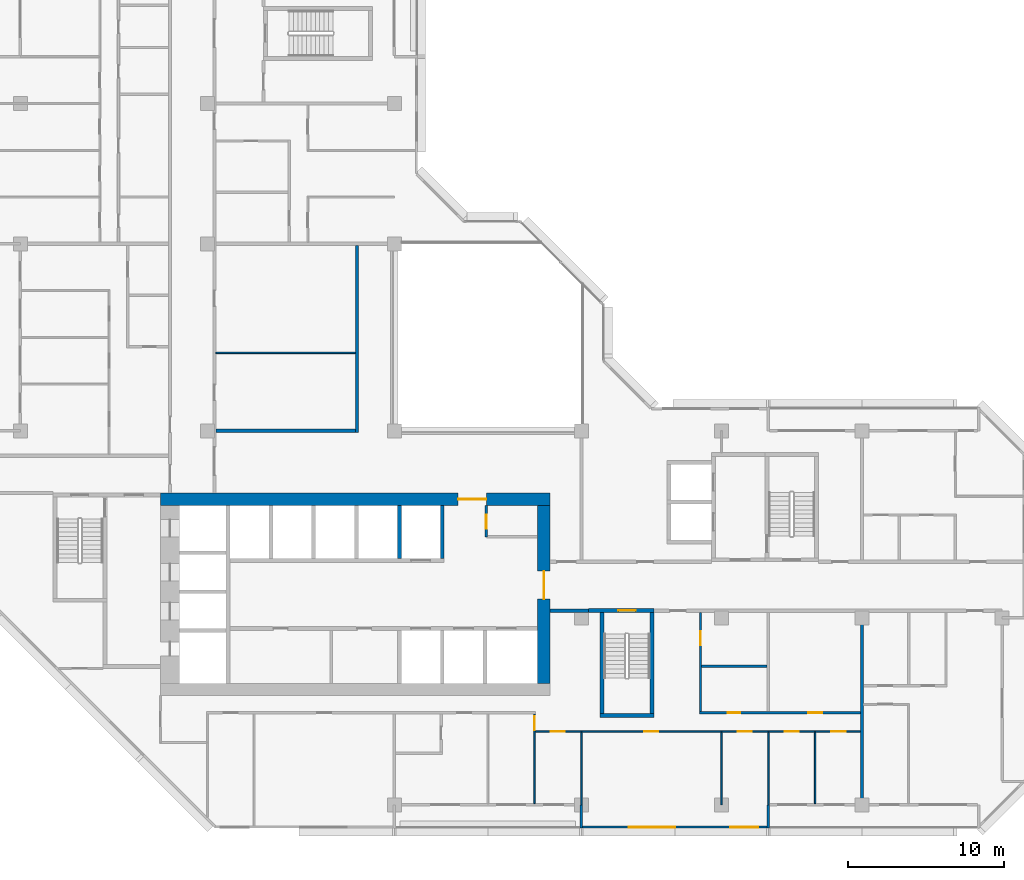
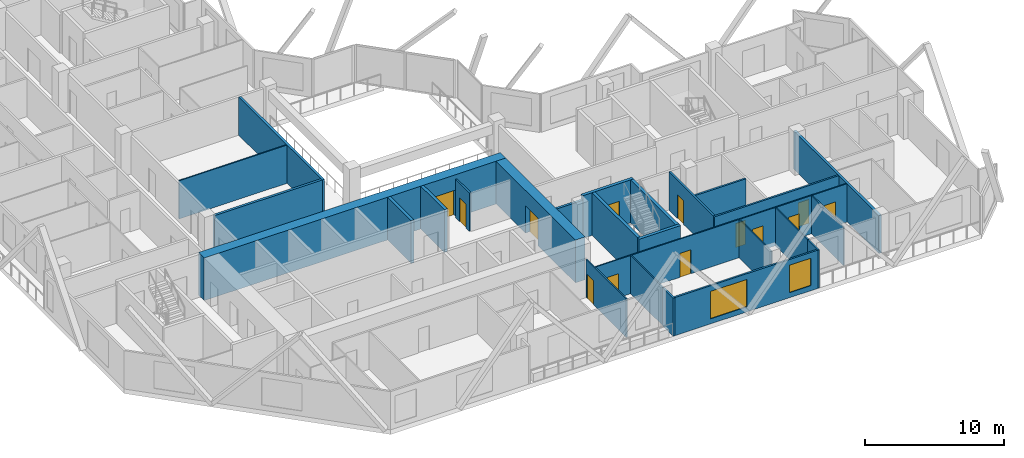
# One storey, part 6 of 14: 26 walls, 13 doors, 2 windows, 15 openings.
"""IFC4 building model written with IfcOpenShell, lengths in metres."""

from ifc_helpers import new_model, si_unit, direction, frame, frame_2d, origin, place, context, subcontext, project, spatial, rectangle, extrude, material, layer, layer_set, type_object, element, fill, save


model = new_model("IFC4")

# Units and contexts
model_context = context("Model", 3, precision=1e-05, world=origin(), true_north=direction((0.0, 1.0)))
body_context = subcontext(model_context, "Body", "Model", "MODEL_VIEW")
ifc_project = project(units=[si_unit("LENGTHUNIT", "METRE"), si_unit("AREAUNIT", "SQUARE_METRE"), si_unit("VOLUMEUNIT", "CUBIC_METRE"), si_unit("PLANEANGLEUNIT", "RADIAN"), si_unit("MASSUNIT", "GRAM", prefix="KILO")], contexts=[model_context])

# Site, building, storey
site_placement = place(None, origin())
site = spatial("IfcSite", under=ifc_project, at=site_placement, CompositionType="ELEMENT")
building_placement = place(site_placement, origin())
building = spatial("IfcBuilding", under=site, at=building_placement, Name="Chenar Terraces", CompositionType="ELEMENT")
storey_placement = place(building_placement, frame((0.0, 0.0, 157.39990234375)))
storey = spatial("IfcBuildingStorey", under=building, at=storey_placement, Name="L35", CompositionType="ELEMENT", Elevation=157.39990234375)

# Wall, opening, door
ifc_material_1 = material(Name="Gypsum board on steel studs", Category="steel")
ifc_layer_1 = layer(ifc_material_1, 0.14990234375)
ifc_layer_set_1 = layer_set([ifc_layer_1], Name="Gypsum board on steel studs")
wall_type_1 = type_object("IfcWallType", Name="Core partition 150 gypsum board", PredefinedType="PARTITIONING", material=ifc_layer_set_1)
wall_1_placement = place(storey_placement, frame((29.89990234375, 17.199951171875, 0.0), z_axis=(0.0, 0.0, 1.0), x_axis=(0.0, 1.0, 0.0)))
wall_1 = element("IfcWall", 1, at=wall_1_placement, inside=storey, type_object=wall_type_1, Name="Core partition CP1 vestibule room west wall", PredefinedType="PARTITIONING", context=body_context, shape_type="SweptSolid", body=[
    extrude(rectangle(XDim=2.0, YDim=0.14990234375, at=frame_2d((1.0, 0.0))), origin(), (0.0, 0.0, 1.0), 3.35009765625),
])
opening_1_placement = place(wall_1_placement, frame((0.5, 0.0, 0.0)))
opening_1 = element("IfcOpeningElement", 2, at=opening_1_placement, cuts=wall_1, Name="Opening DL35-C14", PredefinedType="OPENING", context=body_context, shape_type="SweptSolid", body=[
    extrude(rectangle(XDim=0.89990234375, YDim=2.10009765625, at=frame_2d((0.449951171875, 1.050048828125))), frame((0.0, 0.0849609375, 0.0), z_axis=(0.0, -1.0, 0.0), x_axis=(1.0, 0.0, 0.0)), (0.0, 0.0, 1.0), 0.169921875),
])
ifc_material_2 = material(Name="Steel-framed fire-resisting door leaf", Category="steel")
door_type_1 = type_object("IfcDoorType", Name="Riser fire door FD60 900 x 2100", OperationType="SINGLE_SWING_LEFT", PredefinedType="DOOR", material=ifc_material_2)
door_1_placement = place(opening_1_placement, frame((0.89990234375, 0.0, 0.0), z_axis=(0.0, 0.0, 1.0), x_axis=(-1.0, 0.0, 0.0)))
door_1 = element("IfcDoor", 3, at=door_1_placement, inside=storey, type_object=door_type_1, Name="Core room door DL35-C14", OperationType="SINGLE_SWING_RIGHT", OverallHeight=2.10009765625, OverallWidth=0.89990234375, PredefinedType="DOOR", context=body_context, shape_type="SweptSolid", body=[
    extrude(rectangle(XDim=0.89990234375, YDim=2.10009765625, at=frame_2d((0.449951171875, 1.050048828125))), frame((0.0, 0.02490234375, 0.0), z_axis=(0.0, -1.0, 0.0), x_axis=(1.0, 0.0, 0.0)), (0.0, 0.0, 1.0), 0.050048828125),
])
fill(opening_1, door_1)

# Walls
ifc_material_3 = material(Name="Concrete C60/75", Category="concrete")
ifc_layer_2 = layer(ifc_material_3, 0.25)
ifc_layer_set_2 = layer_set([ifc_layer_2], Name="Concrete C60/75")
wall_type_2 = type_object("IfcWallType", Name="Core wall 250 Concrete C60/75", PredefinedType="SHEAR", material=ifc_layer_set_2)
for number, where, z_axis, x_axis, name in (
    (4, (24.324951171875, 15.800048828125, 0.0), (0.0, 0.0, 1.0), (0.0, 1.0, 0.0), "Core wall NS3 L35"),
    (5, (27.074951171875, 15.800048828125, 0.0), (0.0, 0.0, 1.0), (0.0, 1.0, 0.0), "Core wall NE L35"),
):
    element("IfcWall", number, at=place(storey_placement, frame(where, z_axis=z_axis, x_axis=x_axis)), inside=storey, type_object=wall_type_2, Name=name, PredefinedType="SHEAR", context=body_context, shape_type="SweptSolid", body=[
        extrude(rectangle(XDim=3.39990234375, YDim=0.25, at=frame_2d((1.699951171875, 0.0))), origin(), (0.0, 0.0, 1.0), 3.75),
    ])
wall_2_placement = place(storey_placement, frame((37.199951171875, 5.72509765625, 0.0), z_axis=(0.0, 0.0, 1.0), x_axis=(1.0, 0.0, 0.0)))
element("IfcWall", 6, at=wall_2_placement, inside=storey, type_object=wall_type_2, Name="Core wall ST2_S L35", PredefinedType="SHEAR", context=body_context, shape_type="SweptSolid", body=[
    extrude(rectangle(XDim=3.449951171875, YDim=0.25, at=frame_2d((1.72509765625, 0.0))), origin(), (0.0, 0.0, 1.0), 3.75),
])

# Wall, opening, door
wall_3_placement = place(storey_placement, frame((36.449951171875, 12.47509765625, 0.0), z_axis=(0.0, 0.0, 1.0), x_axis=(1.0, 0.0, 0.0)))
wall_3 = element("IfcWall", 7, at=wall_3_placement, inside=storey, type_object=wall_type_2, Name="Core wall ST2_N L35", PredefinedType="SHEAR", context=body_context, shape_type="SweptSolid", body=[
    extrude(rectangle(XDim=4.199951171875, YDim=0.25, at=frame_2d((2.10009765625, 0.0))), origin(), (0.0, 0.0, 1.0), 3.75),
])
opening_2_placement = place(wall_3_placement, frame((1.925048828125, 0.0, 0.0)))
opening_2 = element("IfcOpeningElement", 8, at=opening_2_placement, cuts=wall_3, Name="Opening DL35-C7", PredefinedType="OPENING", context=body_context, shape_type="SweptSolid", body=[
    extrude(rectangle(XDim=1.10009765625, YDim=2.199951171875, at=frame_2d((0.550048828125, 1.10009765625))), frame((0.0, 0.135009765625, 0.0), z_axis=(0.0, -1.0, 0.0), x_axis=(1.0, 0.0, 0.0)), (0.0, 0.0, 1.0), 0.27001953125),
])
ifc_material_4 = material(Name="Steel-framed fire-resisting door leaf", Category="steel")
door_type_2 = type_object("IfcDoorType", Name="Stair fire door FD60 1100 x 2200", OperationType="SINGLE_SWING_LEFT", PredefinedType="DOOR", material=ifc_material_4)
door_2_placement = place(opening_2_placement, frame((1.10009765625, 0.0, 0.0), z_axis=(0.0, 0.0, 1.0), x_axis=(-1.0, 0.0, 0.0)))
door_2 = element("IfcDoor", 9, at=door_2_placement, inside=storey, type_object=door_type_2, Name="Stair door DL35-C7", OperationType="SINGLE_SWING_RIGHT", OverallHeight=2.199951171875, OverallWidth=1.10009765625, PredefinedType="DOOR", context=body_context, shape_type="SweptSolid", body=[
    extrude(rectangle(XDim=1.10009765625, YDim=2.199951171875, at=frame_2d((0.550048828125, 1.10009765625))), frame((0.0, 0.02490234375, 0.0), z_axis=(0.0, -1.0, 0.0), x_axis=(1.0, 0.0, 0.0)), (0.0, 0.0, 1.0), 0.050048828125),
])
fill(opening_2, door_2)

# Walls
for number, where, z_axis, x_axis, name in (
    (10, (37.324951171875, 5.85009765625, 0.0), (0.0, 0.0, 1.0), (0.0, 1.0, 0.0), "Core wall ST2_W L35"),
    (11, (40.52490234375, 5.85009765625, 0.0), (0.0, 0.0, 1.0), (0.0, 1.0, 0.0), "Core wall ST2_E L35"),
):
    element("IfcWall", number, at=place(storey_placement, frame(where, z_axis=z_axis, x_axis=x_axis)), inside=storey, type_object=wall_type_2, Name=name, PredefinedType="SHEAR", context=body_context, shape_type="SweptSolid", body=[
        extrude(rectangle(XDim=6.5, YDim=0.25, at=frame_2d((3.25, 0.0))), origin(), (0.0, 0.0, 1.0), 3.75),
    ])

# Wall, opening, door
ifc_material_5 = material(Name="Concrete C60/75", Category="concrete")
ifc_layer_3 = layer(ifc_material_5, 0.800048828125)
ifc_layer_set_3 = layer_set([ifc_layer_3], Name="Concrete C60/75")
wall_type_3 = type_object("IfcWallType", Name="Core wall 800 Concrete C60/75", PredefinedType="SHEAR", material=ifc_layer_set_3)
wall_4_placement = place(storey_placement, frame((9.0, 19.60009765625, 0.0), z_axis=(0.0, 0.0, 1.0), x_axis=(1.0, 0.0, 0.0)))
wall_4 = element("IfcWall", 12, at=wall_4_placement, inside=storey, type_object=wall_type_3, Name="Core wall N L35", PredefinedType="SHEAR", context=body_context, shape_type="SweptSolid", body=[
    extrude(rectangle(XDim=25.0, YDim=0.800048828125, at=frame_2d((12.5, 0.0))), origin(), (0.0, 0.0, 1.0), 3.75),
])
opening_3_placement = place(wall_4_placement, frame((19.10009765625, 0.0, 0.0)))
opening_3 = element("IfcOpeningElement", 13, at=opening_3_placement, cuts=wall_4, Name="Opening DL35-C2", PredefinedType="OPENING", context=body_context, shape_type="SweptSolid", body=[
    extrude(rectangle(XDim=1.800048828125, YDim=2.39990234375, at=frame_2d((0.89990234375, 1.199951171875))), frame((0.0, 0.409912109375, 0.0), z_axis=(0.0, -1.0, 0.0), x_axis=(1.0, 0.0, 0.0)), (0.0, 0.0, 1.0), 0.820068359375),
])
ifc_material_6 = material(Name="Steel-framed fire-resisting door leaf", Category="steel")
door_type_3 = type_object("IfcDoorType", Name="Core entrance double fire door FD60 1800 x 2400", OperationType="DOUBLE_DOOR_SINGLE_SWING", PredefinedType="DOOR", material=ifc_material_6)
door_3_placement = place(opening_3_placement, origin())
door_3 = element("IfcDoor", 14, at=door_3_placement, inside=storey, type_object=door_type_3, Name="Core door DL35-C2", OperationType="DOUBLE_DOOR_SINGLE_SWING", OverallHeight=2.39990234375, OverallWidth=1.800048828125, PredefinedType="DOOR", context=body_context, shape_type="SweptSolid", body=[
    extrude(rectangle(XDim=1.800048828125, YDim=2.39990234375, at=frame_2d((0.89990234375, 1.199951171875))), frame((0.0, 0.02490234375, 0.0), z_axis=(0.0, -1.0, 0.0), x_axis=(1.0, 0.0, 0.0)), (0.0, 0.0, 1.0), 0.050048828125),
])
fill(opening_3, door_3)

wall_5_placement = place(storey_placement, frame((33.60009765625, 7.800048828125, 0.0), z_axis=(0.0, 0.0, 1.0), x_axis=(0.0, 1.0, 0.0)))
wall_5 = element("IfcWall", 15, at=wall_5_placement, inside=storey, type_object=wall_type_3, Name="Core wall E L35", PredefinedType="SHEAR", context=body_context, shape_type="SweptSolid", body=[
    extrude(rectangle(XDim=11.39990234375, YDim=0.800048828125, at=frame_2d((5.699951171875, 0.0))), origin(), (0.0, 0.0, 1.0), 3.75),
])
opening_4_placement = place(wall_5_placement, frame((5.39990234375, 0.0, 0.0)))
opening_4 = element("IfcOpeningElement", 16, at=opening_4_placement, cuts=wall_5, Name="Opening DL35-C1", PredefinedType="OPENING", context=body_context, shape_type="SweptSolid", body=[
    extrude(rectangle(XDim=1.800048828125, YDim=2.39990234375, at=frame_2d((0.89990234375, 1.199951171875))), frame((0.0, 0.409912109375, 0.0), z_axis=(0.0, -1.0, 0.0), x_axis=(1.0, 0.0, 0.0)), (0.0, 0.0, 1.0), 0.820068359375),
])
door_4_placement = place(opening_4_placement, origin())
door_4 = element("IfcDoor", 17, at=door_4_placement, inside=storey, type_object=door_type_3, Name="Core door DL35-C1", OperationType="DOUBLE_DOOR_SINGLE_SWING", OverallHeight=2.39990234375, OverallWidth=1.800048828125, PredefinedType="DOOR", context=body_context, shape_type="SweptSolid", body=[
    extrude(rectangle(XDim=1.800048828125, YDim=2.39990234375, at=frame_2d((0.89990234375, 1.199951171875))), frame((0.0, 0.02490234375, 0.0), z_axis=(0.0, -1.0, 0.0), x_axis=(1.0, 0.0, 0.0)), (0.0, 0.0, 1.0), 0.050048828125),
])
fill(opening_4, door_4)

# Walls
ifc_material_7 = material(Name="Gypsum board on steel studs with fire boards", Category="steel")
ifc_layer_4 = layer(ifc_material_7, 0.199951171875)
ifc_layer_set_4 = layer_set([ifc_layer_4], Name="Gypsum board on steel studs with fire boards")
wall_type_4 = type_object("IfcWallType", Name="Corridor wall 200", PredefinedType="PARTITIONING", material=ifc_layer_set_4)
wall_6_placement = place(storey_placement, frame((12.550048828125, 24.0, 0.0), z_axis=(0.0, 0.0, 1.0), x_axis=(1.0, 0.0, 0.0)))
element("IfcWall", 18, at=wall_6_placement, inside=storey, type_object=wall_type_4, Name="Partition L35-032", PredefinedType="PARTITIONING", context=body_context, shape_type="SweptSolid", body=[
    extrude(rectangle(XDim=8.949951171875, YDim=0.199951171875, at=frame_2d((4.47509765625, 0.0))), origin(), (0.0, 0.0, 1.0), 3.35009765625),
])
wall_7_placement = place(storey_placement, frame((21.60009765625, 23.89990234375, 0.0), z_axis=(0.0, 0.0, 1.0), x_axis=(0.0, 1.0, 0.0)))
element("IfcWall", 19, at=wall_7_placement, inside=storey, type_object=wall_type_4, Name="Partition L35-052", PredefinedType="PARTITIONING", context=body_context, shape_type="SweptSolid", body=[
    extrude(rectangle(XDim=12.0, YDim=0.199951171875, at=frame_2d((6.0, 0.0))), origin(), (0.0, 0.0, 1.0), 3.35009765625),
])
wall_8_placement = place(storey_placement, frame((34.0, 12.449951171875, 0.0), z_axis=(0.0, 0.0, 1.0), x_axis=(1.0, 0.0, 0.0)))
element("IfcWall", 20, at=wall_8_placement, inside=storey, type_object=wall_type_4, Name="Partition L35-059", PredefinedType="PARTITIONING", context=body_context, shape_type="SweptSolid", body=[
    extrude(rectangle(XDim=2.450927734375, YDim=0.199951171875, at=frame_2d((1.2255859375, 0.0))), origin(), (0.0, 0.0, 1.0), 3.35009765625),
])

# Wall, openings, windows
ifc_material_8 = material(Name="Aluminium framed glazing", Category="aluminium")
ifc_layer_5 = layer(ifc_material_8, 0.14990234375)
ifc_layer_set_5 = layer_set([ifc_layer_5], Name="Aluminium framed glazing")
wall_type_5 = type_object("IfcWallType", Name="Glazed flush facade wall 150", PredefinedType="SOLIDWALL", material=ifc_layer_set_5)
wall_9_placement = place(storey_placement, frame((36.074951171875, -1.425048828125, 0.0), z_axis=(0.0, 0.0, 1.0), x_axis=(1.0, 0.0, 0.0)))
wall_9 = element("IfcWall", 21, at=wall_9_placement, inside=storey, type_object=wall_type_5, Name="Glazed flush facade wall", PredefinedType="SOLIDWALL", context=body_context, shape_type="SweptSolid", body=[
    extrude(rectangle(XDim=11.85009765625, YDim=0.14990234375, at=frame_2d((5.925048828125, 0.0))), origin(), (0.0, 0.0, 1.0), 3.35009765625),
])
opening_5_placement = place(wall_9_placement, frame((2.96240234375, 0.0, 0.449951171875)))
opening_5 = element("IfcOpeningElement", 22, at=opening_5_placement, cuts=wall_9, Name="Opening W300x240", PredefinedType="OPENING", context=body_context, shape_type="SweptSolid", body=[
    extrude(rectangle(XDim=3.0, YDim=2.39990234375, at=frame_2d((1.5, 1.199951171875))), frame((0.0, 0.0849609375, 0.0), z_axis=(0.0, -1.0, 0.0), x_axis=(1.0, 0.0, 0.0)), (0.0, 0.0, 1.0), 0.169921875),
])
opening_6_placement = place(wall_9_placement, frame((9.487548828125, 0.0, 0.449951171875)))
opening_6 = element("IfcOpeningElement", 23, at=opening_6_placement, cuts=wall_9, Name="Opening W180x240", PredefinedType="OPENING", context=body_context, shape_type="SweptSolid", body=[
    extrude(rectangle(XDim=1.800048828125, YDim=2.39990234375, at=frame_2d((0.89990234375, 1.199951171875))), frame((0.0, 0.0849609375, 0.0), z_axis=(0.0, -1.0, 0.0), x_axis=(1.0, 0.0, 0.0)), (0.0, 0.0, 1.0), 0.169921875),
])
ifc_material_9 = material(Name="Low emissivity double glazing, aluminium frame", Category="aluminium")
window_type_1 = type_object("IfcWindowType", Name="Fixed light 1800 x 2400", PartitioningType="SINGLE_PANEL", PredefinedType="WINDOW", material=ifc_material_9)
window_1_placement = place(opening_6_placement, origin())
window_1 = element("IfcWindow", 24, at=window_1_placement, inside=storey, type_object=window_type_1, Name="Window", OverallHeight=2.39990234375, OverallWidth=1.800048828125, PartitioningType="SINGLE_PANEL", PredefinedType="WINDOW", context=body_context, shape_type="SweptSolid", body=[
    extrude(rectangle(XDim=1.800048828125, YDim=2.39990234375, at=frame_2d((0.89990234375, 1.199951171875))), frame((0.0, 0.030029296875, 0.0), z_axis=(0.0, -1.0, 0.0), x_axis=(1.0, 0.0, 0.0)), (0.0, 0.0, 1.0), 0.06005859375),
])
fill(opening_6, window_1)
ifc_material_10 = material(Name="Low emissivity double glazing, aluminium frame", Category="aluminium")
window_type_2 = type_object("IfcWindowType", Name="Fixed light 3000 x 2400", PartitioningType="SINGLE_PANEL", PredefinedType="WINDOW", material=ifc_material_10)
window_2_placement = place(opening_5_placement, origin())
window_2 = element("IfcWindow", 25, at=window_2_placement, inside=storey, type_object=window_type_2, Name="Window", OverallHeight=2.39990234375, OverallWidth=3.0, PartitioningType="SINGLE_PANEL", PredefinedType="WINDOW", context=body_context, shape_type="SweptSolid", body=[
    extrude(rectangle(XDim=3.0, YDim=2.39990234375, at=frame_2d((1.5, 1.199951171875))), frame((0.0, 0.030029296875, 0.0), z_axis=(0.0, -1.0, 0.0), x_axis=(1.0, 0.0, 0.0)), (0.0, 0.0, 1.0), 0.06005859375),
])
fill(opening_5, window_2)

# Wall
ifc_material_11 = material(Name="Gypsum board on steel studs", Category="steel")
ifc_layer_6 = layer(ifc_material_11, 0.10009765625)
ifc_layer_set_6 = layer_set([ifc_layer_6], Name="Gypsum board on steel studs")
wall_type_6 = type_object("IfcWallType", Name="Gypsum partition 100", PredefinedType="PARTITIONING", material=ifc_layer_set_6)
wall_10_placement = place(storey_placement, frame((12.550048828125, 29.0, 0.0), z_axis=(0.0, 0.0, 1.0), x_axis=(1.0, 0.0, 0.0)))
element("IfcWall", 26, at=wall_10_placement, inside=storey, type_object=wall_type_6, Name="Partition L35-033", PredefinedType="PARTITIONING", context=body_context, shape_type="SweptSolid", body=[
    extrude(rectangle(XDim=8.949951171875, YDim=0.10009765625, at=frame_2d((4.47509765625, 0.0))), origin(), (0.0, 0.0, 1.0), 3.35009765625),
])

# Wall, opening, door
wall_11_placement = place(storey_placement, frame((33.0, 0.073974609375, 0.0), z_axis=(0.0, 0.0, 1.0), x_axis=(0.0, 1.0, 0.0)))
wall_11 = element("IfcWall", 27, at=wall_11_placement, inside=storey, type_object=wall_type_6, Name="Partition L35-057", PredefinedType="PARTITIONING", context=body_context, shape_type="SweptSolid", body=[
    extrude(rectangle(XDim=5.7509765625, YDim=0.10009765625, at=frame_2d((2.87548828125, 0.0))), origin(), (0.0, 0.0, 1.0), 3.35009765625),
])
opening_7_placement = place(wall_11_placement, frame((4.700927734375, 0.0, 0.0)))
opening_7 = element("IfcOpeningElement", 28, at=opening_7_placement, cuts=wall_11, Name="Opening DL35-43", PredefinedType="OPENING", context=body_context, shape_type="SweptSolid", body=[
    extrude(rectangle(XDim=0.89990234375, YDim=2.10009765625, at=frame_2d((0.449951171875, 1.050048828125))), frame((0.0, 0.06005859375, 0.0), z_axis=(0.0, -1.0, 0.0), x_axis=(1.0, 0.0, 0.0)), (0.0, 0.0, 1.0), 0.1201171875),
])
ifc_material_12 = material(Name="Veneered timber door leaf", Category="wood")
door_type_4 = type_object("IfcDoorType", Name="Door 900 x 2100", OperationType="SINGLE_SWING_LEFT", PredefinedType="DOOR", material=ifc_material_12)
door_5_placement = place(opening_7_placement, origin())
door_5 = element("IfcDoor", 29, at=door_5_placement, inside=storey, type_object=door_type_4, Name="Door DL35-43", OperationType="SINGLE_SWING_RIGHT", OverallHeight=2.10009765625, OverallWidth=0.89990234375, PredefinedType="DOOR", context=body_context, shape_type="SweptSolid", body=[
    extrude(rectangle(XDim=0.89990234375, YDim=2.10009765625, at=frame_2d((0.449951171875, 1.050048828125))), frame((0.0, 0.02490234375, 0.0), z_axis=(0.0, -1.0, 0.0), x_axis=(1.0, 0.0, 0.0)), (0.0, 0.0, 1.0), 0.050048828125),
])
fill(opening_7, door_5)

# Wall, openings, doors
wall_12_placement = place(storey_placement, frame((33.050048828125, 4.699951171875, 0.0), z_axis=(0.0, 0.0, 1.0), x_axis=(1.0, 0.0, 0.0)))
wall_12 = element("IfcWall", 30, at=wall_12_placement, inside=storey, type_object=wall_type_6, Name="Partition L35-058", PredefinedType="PARTITIONING", context=body_context, shape_type="SweptSolid", body=[
    extrude(rectangle(XDim=20.849853515625, YDim=0.10009765625, at=frame_2d((10.4248046875, 0.0))), origin(), (0.0, 0.0, 1.0), 3.35009765625),
])
opening_8_placement = place(wall_12_placement, frame((1.0, 0.0, 0.0)))
opening_8 = element("IfcOpeningElement", 31, at=opening_8_placement, cuts=wall_12, Name="Opening DL35-44", PredefinedType="OPENING", context=body_context, shape_type="SweptSolid", body=[
    extrude(rectangle(XDim=0.89990234375, YDim=2.10009765625, at=frame_2d((0.449951171875, 1.050048828125))), frame((0.0, 0.06005859375, 0.0), z_axis=(0.0, -1.0, 0.0), x_axis=(1.0, 0.0, 0.0)), (0.0, 0.0, 1.0), 0.1201171875),
])
opening_9_placement = place(wall_12_placement, frame((13.0, 0.0, 0.0)))
opening_9 = element("IfcOpeningElement", 32, at=opening_9_placement, cuts=wall_12, Name="Opening DL35-45", PredefinedType="OPENING", context=body_context, shape_type="SweptSolid", body=[
    extrude(rectangle(XDim=0.89990234375, YDim=2.10009765625, at=frame_2d((0.449951171875, 1.050048828125))), frame((0.0, 0.06005859375, 0.0), z_axis=(0.0, -1.0, 0.0), x_axis=(1.0, 0.0, 0.0)), (0.0, 0.0, 1.0), 0.1201171875),
])
opening_10_placement = place(wall_12_placement, frame((16.0, 0.0, 0.0)))
opening_10 = element("IfcOpeningElement", 33, at=opening_10_placement, cuts=wall_12, Name="Opening DL35-46", PredefinedType="OPENING", context=body_context, shape_type="SweptSolid", body=[
    extrude(rectangle(XDim=0.89990234375, YDim=2.10009765625, at=frame_2d((0.449951171875, 1.050048828125))), frame((0.0, 0.06005859375, 0.0), z_axis=(0.0, -1.0, 0.0), x_axis=(1.0, 0.0, 0.0)), (0.0, 0.0, 1.0), 0.1201171875),
])
opening_11_placement = place(wall_12_placement, frame((19.0, 0.0, 0.0)))
opening_11 = element("IfcOpeningElement", 34, at=opening_11_placement, cuts=wall_12, Name="Opening DL35-47", PredefinedType="OPENING", context=body_context, shape_type="SweptSolid", body=[
    extrude(rectangle(XDim=0.89990234375, YDim=2.10009765625, at=frame_2d((0.449951171875, 1.050048828125))), frame((0.0, 0.06005859375, 0.0), z_axis=(0.0, -1.0, 0.0), x_axis=(1.0, 0.0, 0.0)), (0.0, 0.0, 1.0), 0.1201171875),
])
opening_12_placement = place(wall_12_placement, frame((7.0, 0.0, 0.0)))
opening_12 = element("IfcOpeningElement", 35, at=opening_12_placement, cuts=wall_12, Name="Opening DL35-56", PredefinedType="OPENING", context=body_context, shape_type="SweptSolid", body=[
    extrude(rectangle(XDim=0.89990234375, YDim=2.10009765625, at=frame_2d((0.449951171875, 1.050048828125))), frame((0.0, 0.06005859375, 0.0), z_axis=(0.0, -1.0, 0.0), x_axis=(1.0, 0.0, 0.0)), (0.0, 0.0, 1.0), 0.1201171875),
])
door_6_placement = place(opening_8_placement, frame((0.89990234375, 0.0, 0.0), z_axis=(0.0, 0.0, 1.0), x_axis=(-1.0, 0.0, 0.0)))
door_6 = element("IfcDoor", 36, at=door_6_placement, inside=storey, type_object=door_type_4, Name="Door DL35-44", OperationType="SINGLE_SWING_LEFT", OverallHeight=2.10009765625, OverallWidth=0.89990234375, PredefinedType="DOOR", context=body_context, shape_type="SweptSolid", body=[
    extrude(rectangle(XDim=0.89990234375, YDim=2.10009765625, at=frame_2d((0.449951171875, 1.050048828125))), frame((0.0, 0.02490234375, 0.0), z_axis=(0.0, -1.0, 0.0), x_axis=(1.0, 0.0, 0.0)), (0.0, 0.0, 1.0), 0.050048828125),
])
fill(opening_8, door_6)
door_7_placement = place(opening_9_placement, frame((0.89990234375, 0.0, 0.0), z_axis=(0.0, 0.0, 1.0), x_axis=(-1.0, 0.0, 0.0)))
door_7 = element("IfcDoor", 37, at=door_7_placement, inside=storey, type_object=door_type_4, Name="Door DL35-45", OperationType="SINGLE_SWING_LEFT", OverallHeight=2.10009765625, OverallWidth=0.89990234375, PredefinedType="DOOR", context=body_context, shape_type="SweptSolid", body=[
    extrude(rectangle(XDim=0.89990234375, YDim=2.10009765625, at=frame_2d((0.449951171875, 1.050048828125))), frame((0.0, 0.02490234375, 0.0), z_axis=(0.0, -1.0, 0.0), x_axis=(1.0, 0.0, 0.0)), (0.0, 0.0, 1.0), 0.050048828125),
])
fill(opening_9, door_7)
door_8_placement = place(opening_10_placement, frame((0.89990234375, 0.0, 0.0), z_axis=(0.0, 0.0, 1.0), x_axis=(-1.0, 0.0, 0.0)))
door_8 = element("IfcDoor", 38, at=door_8_placement, inside=storey, type_object=door_type_4, Name="Door DL35-46", OperationType="SINGLE_SWING_LEFT", OverallHeight=2.10009765625, OverallWidth=0.89990234375, PredefinedType="DOOR", context=body_context, shape_type="SweptSolid", body=[
    extrude(rectangle(XDim=0.89990234375, YDim=2.10009765625, at=frame_2d((0.449951171875, 1.050048828125))), frame((0.0, 0.02490234375, 0.0), z_axis=(0.0, -1.0, 0.0), x_axis=(1.0, 0.0, 0.0)), (0.0, 0.0, 1.0), 0.050048828125),
])
fill(opening_10, door_8)
door_9_placement = place(opening_11_placement, frame((0.89990234375, 0.0, 0.0), z_axis=(0.0, 0.0, 1.0), x_axis=(-1.0, 0.0, 0.0)))
door_9 = element("IfcDoor", 39, at=door_9_placement, inside=storey, type_object=door_type_4, Name="Door DL35-47", OperationType="SINGLE_SWING_LEFT", OverallHeight=2.10009765625, OverallWidth=0.89990234375, PredefinedType="DOOR", context=body_context, shape_type="SweptSolid", body=[
    extrude(rectangle(XDim=0.89990234375, YDim=2.10009765625, at=frame_2d((0.449951171875, 1.050048828125))), frame((0.0, 0.02490234375, 0.0), z_axis=(0.0, -1.0, 0.0), x_axis=(1.0, 0.0, 0.0)), (0.0, 0.0, 1.0), 0.050048828125),
])
fill(opening_11, door_9)
door_10_placement = place(opening_12_placement, frame((0.89990234375, 0.0, 0.0), z_axis=(0.0, 0.0, 1.0), x_axis=(-1.0, 0.0, 0.0)))
door_10 = element("IfcDoor", 40, at=door_10_placement, inside=storey, type_object=door_type_4, Name="Door DL35-56", OperationType="SINGLE_SWING_LEFT", OverallHeight=2.10009765625, OverallWidth=0.89990234375, PredefinedType="DOOR", context=body_context, shape_type="SweptSolid", body=[
    extrude(rectangle(XDim=0.89990234375, YDim=2.10009765625, at=frame_2d((0.449951171875, 1.050048828125))), frame((0.0, 0.02490234375, 0.0), z_axis=(0.0, -1.0, 0.0), x_axis=(1.0, 0.0, 0.0)), (0.0, 0.0, 1.0), 0.050048828125),
])
fill(opening_12, door_10)

# Walls
for number, where, z_axis, x_axis, name in (
    (41, (36.0, 0.0, 0.0), (0.0, 0.0, 1.0), (0.0, 1.0, 0.0), "Partition L35-061"),
    (42, (45.0, 0.0, 0.0), (0.0, 0.0, 1.0), (0.0, 1.0, 0.0), "Partition L35-067"),
    (43, (48.0, 0.0, 0.0), (0.0, 0.0, 1.0), (0.0, 1.0, 0.0), "Partition L35-069"),
):
    element("IfcWall", number, at=place(storey_placement, frame(where, z_axis=z_axis, x_axis=x_axis)), inside=storey, type_object=wall_type_6, Name=name, PredefinedType="PARTITIONING", context=body_context, shape_type="SweptSolid", body=[
        extrude(rectangle(XDim=4.64990234375, YDim=0.10009765625, at=frame_2d((2.324951171875, 0.0))), origin(), (0.0, 0.0, 1.0), 3.35009765625),
    ])
wall_13_placement = place(storey_placement, frame((51.0, 0.073974609375, 0.0), z_axis=(0.0, 0.0, 1.0), x_axis=(0.0, 1.0, 0.0)))
element("IfcWall", 44, at=wall_13_placement, inside=storey, type_object=wall_type_6, Name="Partition L35-071", PredefinedType="PARTITIONING", context=body_context, shape_type="SweptSolid", body=[
    extrude(rectangle(XDim=4.575927734375, YDim=0.10009765625, at=frame_2d((2.2880859375, 0.0))), origin(), (0.0, 0.0, 1.0), 3.35009765625),
])
ifc_material_13 = material(Name="Terracotta cladding on insulated backing", Category="masonry")
ifc_layer_7 = layer(ifc_material_13, 0.14990234375)
ifc_layer_set_7 = layer_set([ifc_layer_7], Name="Terracotta cladding on insulated backing")
wall_type_7 = type_object("IfcWallType", Name="Loggia return wall 150", PredefinedType="SOLIDWALL", material=ifc_layer_set_7)
for number, where, z_axis, x_axis, name in (
    (45, (36.0, -1.5, 0.0), (0.0, 0.0, 1.0), (0.0, 1.0, 0.0), "Loggia return wall"),
    (46, (48.0, -1.5, 0.0), (0.0, 0.0, 1.0), (0.0, 1.0, 0.0), "Loggia return wall"),
):
    element("IfcWall", number, at=place(storey_placement, frame(where, z_axis=z_axis, x_axis=x_axis)), inside=storey, type_object=wall_type_7, Name=name, PredefinedType="SOLIDWALL", context=body_context, shape_type="SweptSolid", body=[
        extrude(rectangle(XDim=1.5, YDim=0.14990234375, at=frame_2d((0.75, 0.0))), origin(), (0.0, 0.0, 1.0), 3.35009765625),
    ])
ifc_material_14 = material(Name="Twin gypsum board on steel studs with mineral wool", Category="steel")
ifc_layer_8 = layer(ifc_material_14, 0.199951171875)
ifc_layer_set_8 = layer_set([ifc_layer_8], Name="Twin gypsum board on steel studs with mineral wool")
wall_type_8 = type_object("IfcWallType", Name="Unit demising wall 200", PredefinedType="PARTITIONING", material=ifc_layer_set_8)
wall_14_placement = place(storey_placement, frame((54.0, 0.073974609375, 0.0), z_axis=(0.0, 0.0, 1.0), x_axis=(0.0, 1.0, 0.0)))
element("IfcWall", 47, at=wall_14_placement, inside=storey, type_object=wall_type_8, Name="Partition L35-073", PredefinedType="PARTITIONING", context=body_context, shape_type="SweptSolid", body=[
    extrude(rectangle(XDim=12.276123046875, YDim=0.199951171875, at=frame_2d((6.13818359375, 0.0))), origin(), (0.0, 0.0, 1.0), 3.35009765625),
])

# Wall, openings, doors
ifc_material_15 = material(Name="Moisture-resistant gypsum board on steel studs", Category="steel")
ifc_layer_9 = layer(ifc_material_15, 0.14990234375)
ifc_layer_set_9 = layer_set([ifc_layer_9], Name="Moisture-resistant gypsum board on steel studs")
wall_type_9 = type_object("IfcWallType", Name="Wet-room partition 150", PredefinedType="PARTITIONING", material=ifc_layer_set_9)
wall_15_placement = place(storey_placement, frame((43.574951171875, 5.89990234375, 0.0), z_axis=(0.0, 0.0, 1.0), x_axis=(1.0, 0.0, 0.0)))
wall_15 = element("IfcWall", 48, at=wall_15_placement, inside=storey, type_object=wall_type_9, Name="Partition L35-064", PredefinedType="PARTITIONING", context=body_context, shape_type="SweptSolid", body=[
    extrude(rectangle(XDim=10.324951171875, YDim=0.14990234375, at=frame_2d((5.16259765625, 0.0))), origin(), (0.0, 0.0, 1.0), 3.35009765625),
])
opening_13_placement = place(wall_15_placement, frame((1.824951171875, 0.0, 0.0)))
opening_13 = element("IfcOpeningElement", 49, at=opening_13_placement, cuts=wall_15, Name="Opening DL35-41", PredefinedType="OPENING", context=body_context, shape_type="SweptSolid", body=[
    extrude(rectangle(XDim=0.800048828125, YDim=2.10009765625, at=frame_2d((0.39990234375, 1.050048828125))), frame((0.0, 0.0849609375, 0.0), z_axis=(0.0, -1.0, 0.0), x_axis=(1.0, 0.0, 0.0)), (0.0, 0.0, 1.0), 0.169921875),
])
opening_14_placement = place(wall_15_placement, frame((6.97509765625, 0.0, 0.0)))
opening_14 = element("IfcOpeningElement", 50, at=opening_14_placement, cuts=wall_15, Name="Opening DL35-51", PredefinedType="OPENING", context=body_context, shape_type="SweptSolid", body=[
    extrude(rectangle(XDim=0.89990234375, YDim=2.10009765625, at=frame_2d((0.449951171875, 1.050048828125))), frame((0.0, 0.0849609375, 0.0), z_axis=(0.0, -1.0, 0.0), x_axis=(1.0, 0.0, 0.0)), (0.0, 0.0, 1.0), 0.169921875),
])
ifc_material_16 = material(Name="Veneered timber door leaf", Category="wood")
door_type_5 = type_object("IfcDoorType", Name="Door 800 x 2100", OperationType="SINGLE_SWING_LEFT", PredefinedType="DOOR", material=ifc_material_16)
door_11_placement = place(opening_13_placement, origin())
door_11 = element("IfcDoor", 51, at=door_11_placement, inside=storey, type_object=door_type_5, Name="Door DL35-41", OperationType="SINGLE_SWING_RIGHT", OverallHeight=2.10009765625, OverallWidth=0.800048828125, PredefinedType="DOOR", context=body_context, shape_type="SweptSolid", body=[
    extrude(rectangle(XDim=0.800048828125, YDim=2.10009765625, at=frame_2d((0.39990234375, 1.050048828125))), frame((0.0, 0.02490234375, 0.0), z_axis=(0.0, -1.0, 0.0), x_axis=(1.0, 0.0, 0.0)), (0.0, 0.0, 1.0), 0.050048828125),
])
fill(opening_13, door_11)
door_12_placement = place(opening_14_placement, origin())
door_12 = element("IfcDoor", 52, at=door_12_placement, inside=storey, type_object=door_type_4, Name="Door DL35-51", OperationType="SINGLE_SWING_RIGHT", OverallHeight=2.10009765625, OverallWidth=0.89990234375, PredefinedType="DOOR", context=body_context, shape_type="SweptSolid", body=[
    extrude(rectangle(XDim=0.89990234375, YDim=2.10009765625, at=frame_2d((0.449951171875, 1.050048828125))), frame((0.0, 0.02490234375, 0.0), z_axis=(0.0, -1.0, 0.0), x_axis=(1.0, 0.0, 0.0)), (0.0, 0.0, 1.0), 0.050048828125),
])
fill(opening_14, door_12)

# Wall, opening, door
wall_16_placement = place(storey_placement, frame((43.64990234375, 5.97509765625, 0.0), z_axis=(0.0, 0.0, 1.0), x_axis=(0.0, 1.0, 0.0)))
wall_16 = element("IfcWall", 53, at=wall_16_placement, inside=storey, type_object=wall_type_9, Name="Partition L35-065", PredefinedType="PARTITIONING", context=body_context, shape_type="SweptSolid", body=[
    extrude(rectangle(XDim=6.375, YDim=0.14990234375, at=frame_2d((3.1875, 0.0))), origin(), (0.0, 0.0, 1.0), 3.35009765625),
])
opening_15_placement = place(wall_16_placement, frame((4.27490234375, 0.0, 0.0)))
opening_15 = element("IfcOpeningElement", 54, at=opening_15_placement, cuts=wall_16, Name="Opening DL35-54", PredefinedType="OPENING", context=body_context, shape_type="SweptSolid", body=[
    extrude(rectangle(XDim=0.89990234375, YDim=2.10009765625, at=frame_2d((0.449951171875, 1.050048828125))), frame((0.0, 0.0849609375, 0.0), z_axis=(0.0, -1.0, 0.0), x_axis=(1.0, 0.0, 0.0)), (0.0, 0.0, 1.0), 0.169921875),
])
door_13_placement = place(opening_15_placement, frame((0.89990234375, 0.0, 0.0), z_axis=(0.0, 0.0, 1.0), x_axis=(-1.0, 0.0, 0.0)))
door_13 = element("IfcDoor", 55, at=door_13_placement, inside=storey, type_object=door_type_4, Name="Door DL35-54", OperationType="SINGLE_SWING_LEFT", OverallHeight=2.10009765625, OverallWidth=0.89990234375, PredefinedType="DOOR", context=body_context, shape_type="SweptSolid", body=[
    extrude(rectangle(XDim=0.89990234375, YDim=2.10009765625, at=frame_2d((0.449951171875, 1.050048828125))), frame((0.0, 0.02490234375, 0.0), z_axis=(0.0, -1.0, 0.0), x_axis=(1.0, 0.0, 0.0)), (0.0, 0.0, 1.0), 0.050048828125),
])
fill(opening_15, door_13)

# Wall
wall_17_placement = place(storey_placement, frame((43.72509765625, 8.89990234375, 0.0), z_axis=(0.0, 0.0, 1.0), x_axis=(1.0, 0.0, 0.0)))
element("IfcWall", 56, at=wall_17_placement, inside=storey, type_object=wall_type_9, Name="Partition L35-066", PredefinedType="PARTITIONING", context=body_context, shape_type="SweptSolid", body=[
    extrude(rectangle(XDim=4.199951171875, YDim=0.14990234375, at=frame_2d((2.10009765625, 0.0))), origin(), (0.0, 0.0, 1.0), 3.35009765625),
])

save(model, "model.ifc")
